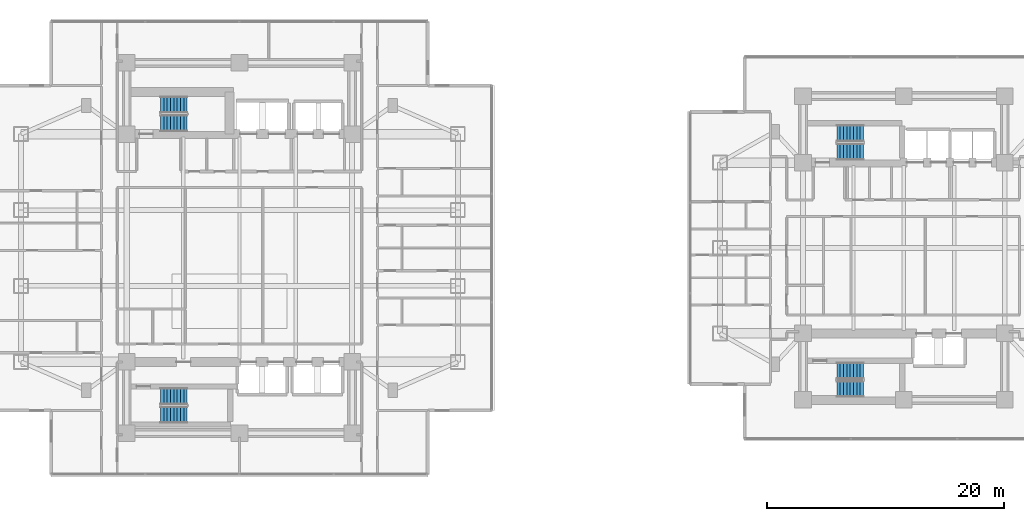
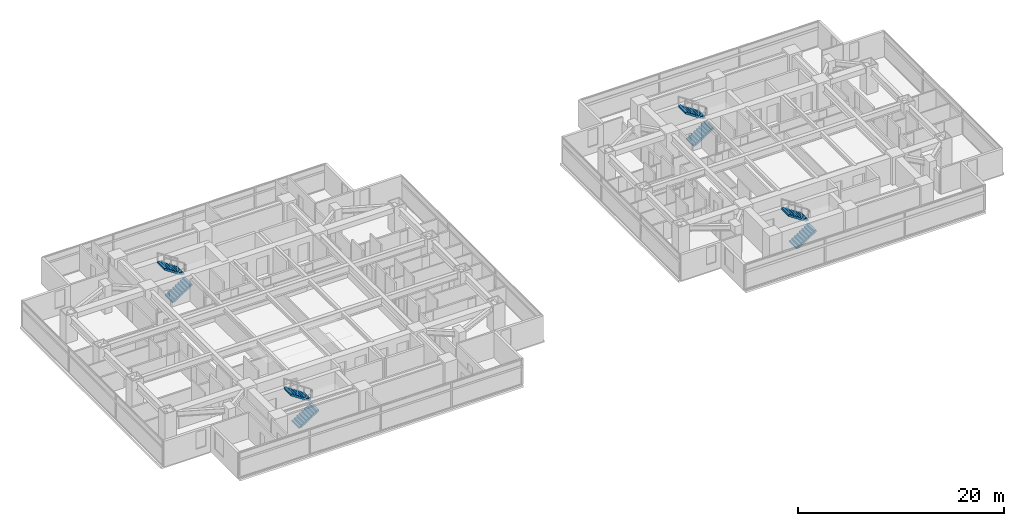
# One storey, part 19 of 26: 8 stair flights, 4 elements without a shape of their own.
"""IFC4 building model written with IfcOpenShell, lengths in metres."""

from ifc_helpers import new_model, si_unit, direction, frame, origin, place, context, subcontext, project, spatial, polyline, outline, extrude, material, type_object, element, aggregate, save


model = new_model("IFC4")

# Units and contexts
model_context = context("Model", 3, precision=1e-05, world=origin(), true_north=direction((0.0, 1.0)))
body_context = subcontext(model_context, "Body", "Model", "MODEL_VIEW")
ifc_project = project(units=[si_unit("LENGTHUNIT", "METRE"), si_unit("AREAUNIT", "SQUARE_METRE"), si_unit("VOLUMEUNIT", "CUBIC_METRE"), si_unit("PLANEANGLEUNIT", "RADIAN"), si_unit("MASSUNIT", "GRAM", prefix="KILO")], contexts=[model_context])

# Site, building, storey
site_placement = place(None, origin())
site = spatial("IfcSite", under=ifc_project, at=site_placement, CompositionType="ELEMENT")
building_placement = place(site_placement, origin())
building = spatial("IfcBuilding", under=site, at=building_placement, Name="Mirazonda Arch Towers", CompositionType="ELEMENT")
storey_placement = place(building_placement, frame((0.0, 0.0, 25.699951171875)))
storey = spatial("IfcBuildingStorey", under=building, at=storey_placement, Name="L06", CompositionType="ELEMENT", Elevation=25.699951171875)

# Stair, stair flights
ifc_material = material(Name="Concrete C40/50", Category="concrete")
stair_type = type_object("IfcStairType", Name="STAIR-CORE-1400", PredefinedType="HALF_TURN_STAIR", material=ifc_material)
stair_1_placement = place(storey_placement, origin())
stair_1 = element("IfcStair", 1, at=stair_1_placement, inside=storey, type_object=stair_type, Name="L06 Protected Exit Stair ST-T1N", PredefinedType="HALF_TURN_STAIR")
stair_flight_type = type_object("IfcStairFlightType", Name="FLIGHT-1400", PredefinedType="STRAIGHT", material=ifc_material)
stair_flight_1_placement = place(storey_placement, frame((13.85009765625, 38.52001953125, 0.0), z_axis=(0.0, 0.0, 1.0), x_axis=(1.0, 0.0, 0.0)))
stair_flight_1 = element("IfcStairFlight", 2, at=stair_flight_1_placement, type_object=stair_flight_type, Name="ST-T1N flight 1", NumberOfRisers=9, NumberOfTreads=8, PredefinedType="STRAIGHT", RiserHeight=0.183333333, TreadLength=0.28, context=body_context, shape_type="SweptSolid", body=[
    extrude(outline(polyline([(0.0, 0.0), (0.0, 0.183349609375), (0.280029296875, 0.183349609375), (0.280029296875, 0.36669921875), (0.56005859375, 0.36669921875), (0.56005859375, 0.550048828125), (0.840087890625, 0.550048828125), (0.840087890625, 0.7333984375), (1.1201171875, 0.7333984375), (1.1201171875, 0.916748046875), (1.39990234375, 0.916748046875), (1.39990234375, 1.10009765625), (1.679931640625, 1.10009765625), (1.679931640625, 1.283447265625), (1.9599609375, 1.283447265625), (1.9599609375, 1.466552734375), (2.239990234375, 1.466552734375), (2.239990234375, 1.64990234375), (2.239990234375, 1.275634765625), (0.2919921875, 0.0), (0.0, 0.0)])), frame((0.0, 0.699951171875, 0.0), z_axis=(0.0, -1.0, 0.0), x_axis=(1.0, 0.0, 0.0)), (0.0, 0.0, 1.0), 1.39990234375),
])
stair_flight_2_placement = place(storey_placement, frame((16.090087890625, 40.06005859375, 1.650146484375), z_axis=(0.0, 0.0, 1.0), x_axis=(-1.0, 0.0, 0.0)))
stair_flight_2 = element("IfcStairFlight", 3, at=stair_flight_2_placement, type_object=stair_flight_type, Name="ST-T1N flight 2", NumberOfRisers=9, NumberOfTreads=8, PredefinedType="STRAIGHT", RiserHeight=0.183333333, TreadLength=0.28, context=body_context, shape_type="SweptSolid", body=[
    extrude(outline(polyline([(0.0, 0.0), (0.0, 0.183349609375), (0.280029296875, 0.183349609375), (0.280029296875, 0.36669921875), (0.56005859375, 0.36669921875), (0.56005859375, 0.550048828125), (0.840087890625, 0.550048828125), (0.840087890625, 0.7333984375), (1.1201171875, 0.7333984375), (1.1201171875, 0.916748046875), (1.39990234375, 0.916748046875), (1.39990234375, 1.10009765625), (1.679931640625, 1.10009765625), (1.679931640625, 1.283447265625), (1.9599609375, 1.283447265625), (1.9599609375, 1.466552734375), (2.239990234375, 1.466552734375), (2.239990234375, 1.64990234375), (2.239990234375, 1.275634765625), (0.2919921875, 0.0), (0.0, 0.0)])), frame((0.0, 0.699951171875, 0.0), z_axis=(0.0, -1.0, 0.0), x_axis=(1.0, 0.0, 0.0)), (0.0, 0.0, 1.0), 1.39990234375),
])
aggregate(stair_1, [stair_flight_1, stair_flight_2])

stair_2_placement = place(storey_placement, origin())
stair_2 = element("IfcStair", 4, at=stair_2_placement, inside=storey, type_object=stair_type, Name="L06 Protected Exit Stair ST-T1S", PredefinedType="HALF_TURN_STAIR")
stair_flight_3_placement = place(storey_placement, frame((13.85009765625, 13.949951171875, 0.0), z_axis=(0.0, 0.0, 1.0), x_axis=(1.0, 0.0, 0.0)))
stair_flight_3 = element("IfcStairFlight", 5, at=stair_flight_3_placement, type_object=stair_flight_type, Name="ST-T1S flight 1", NumberOfRisers=9, NumberOfTreads=8, PredefinedType="STRAIGHT", RiserHeight=0.183333333, TreadLength=0.28, context=body_context, shape_type="SweptSolid", body=[
    extrude(outline(polyline([(0.0, 0.0), (0.0, 0.183349609375), (0.280029296875, 0.183349609375), (0.280029296875, 0.36669921875), (0.56005859375, 0.36669921875), (0.56005859375, 0.550048828125), (0.840087890625, 0.550048828125), (0.840087890625, 0.7333984375), (1.1201171875, 0.7333984375), (1.1201171875, 0.916748046875), (1.39990234375, 0.916748046875), (1.39990234375, 1.10009765625), (1.679931640625, 1.10009765625), (1.679931640625, 1.283447265625), (1.9599609375, 1.283447265625), (1.9599609375, 1.466552734375), (2.239990234375, 1.466552734375), (2.239990234375, 1.64990234375), (2.239990234375, 1.275634765625), (0.2919921875, 0.0), (0.0, 0.0)])), frame((0.0, 0.699951171875, 0.0), z_axis=(0.0, -1.0, 0.0), x_axis=(1.0, 0.0, 0.0)), (0.0, 0.0, 1.0), 1.39990234375),
])
stair_flight_4_placement = place(storey_placement, frame((16.090087890625, 15.489990234375, 1.650146484375), z_axis=(0.0, 0.0, 1.0), x_axis=(-1.0, 0.0, 0.0)))
stair_flight_4 = element("IfcStairFlight", 6, at=stair_flight_4_placement, type_object=stair_flight_type, Name="ST-T1S flight 2", NumberOfRisers=9, NumberOfTreads=8, PredefinedType="STRAIGHT", RiserHeight=0.183333333, TreadLength=0.28, context=body_context, shape_type="SweptSolid", body=[
    extrude(outline(polyline([(0.0, 0.0), (0.0, 0.183349609375), (0.280029296875, 0.183349609375), (0.280029296875, 0.36669921875), (0.56005859375, 0.36669921875), (0.56005859375, 0.550048828125), (0.840087890625, 0.550048828125), (0.840087890625, 0.7333984375), (1.1201171875, 0.7333984375), (1.1201171875, 0.916748046875), (1.39990234375, 0.916748046875), (1.39990234375, 1.10009765625), (1.679931640625, 1.10009765625), (1.679931640625, 1.283447265625), (1.9599609375, 1.283447265625), (1.9599609375, 1.466552734375), (2.239990234375, 1.466552734375), (2.239990234375, 1.64990234375), (2.239990234375, 1.275634765625), (0.2919921875, 0.0), (0.0, 0.0)])), frame((0.0, 0.699951171875, 0.0), z_axis=(0.0, -1.0, 0.0), x_axis=(1.0, 0.0, 0.0)), (0.0, 0.0, 1.0), 1.39990234375),
])
aggregate(stair_2, [stair_flight_3, stair_flight_4])

stair_3_placement = place(storey_placement, origin())
stair_3 = element("IfcStair", 7, at=stair_3_placement, inside=storey, type_object=stair_type, Name="L06 Protected Exit Stair ST-T2N", PredefinedType="HALF_TURN_STAIR")
stair_flight_5_placement = place(storey_placement, frame((70.85009765625, 36.1201171875, 0.0), z_axis=(0.0, 0.0, 1.0), x_axis=(1.0, 0.0, 0.0)))
stair_flight_5 = element("IfcStairFlight", 8, at=stair_flight_5_placement, type_object=stair_flight_type, Name="ST-T2N flight 1", NumberOfRisers=9, NumberOfTreads=8, PredefinedType="STRAIGHT", RiserHeight=0.183333333, TreadLength=0.28, context=body_context, shape_type="SweptSolid", body=[
    extrude(outline(polyline([(0.0, 0.0), (0.0, 0.183349609375), (0.280029296875, 0.183349609375), (0.280029296875, 0.36669921875), (0.56005859375, 0.36669921875), (0.56005859375, 0.550048828125), (0.840087890625, 0.550048828125), (0.840087890625, 0.7333984375), (1.1201171875, 0.7333984375), (1.1201171875, 0.916748046875), (1.39990234375, 0.916748046875), (1.39990234375, 1.10009765625), (1.679931640625, 1.10009765625), (1.679931640625, 1.283447265625), (1.9599609375, 1.283447265625), (1.9599609375, 1.466552734375), (2.239990234375, 1.466552734375), (2.239990234375, 1.64990234375), (2.239990234375, 1.275634765625), (0.2919921875, 0.0), (0.0, 0.0)])), frame((0.0, 0.699951171875, 0.0), z_axis=(0.0, -1.0, 0.0), x_axis=(1.0, 0.0, 0.0)), (0.0, 0.0, 1.0), 1.39990234375),
])
stair_flight_6_placement = place(storey_placement, frame((73.090087890625, 37.659912109375, 1.650146484375), z_axis=(0.0, 0.0, 1.0), x_axis=(-1.0, 0.0, 0.0)))
stair_flight_6 = element("IfcStairFlight", 9, at=stair_flight_6_placement, type_object=stair_flight_type, Name="ST-T2N flight 2", NumberOfRisers=9, NumberOfTreads=8, PredefinedType="STRAIGHT", RiserHeight=0.183333333, TreadLength=0.28, context=body_context, shape_type="SweptSolid", body=[
    extrude(outline(polyline([(0.0, 0.0), (0.0, 0.183349609375), (0.280029296875, 0.183349609375), (0.280029296875, 0.36669921875), (0.56005859375, 0.36669921875), (0.56005859375, 0.550048828125), (0.840087890625, 0.550048828125), (0.840087890625, 0.7333984375), (1.1201171875, 0.7333984375), (1.1201171875, 0.916748046875), (1.39990234375, 0.916748046875), (1.39990234375, 1.10009765625), (1.679931640625, 1.10009765625), (1.679931640625, 1.283447265625), (1.9599609375, 1.283447265625), (1.9599609375, 1.466552734375), (2.239990234375, 1.466552734375), (2.239990234375, 1.64990234375), (2.239990234375, 1.275634765625), (0.2919921875, 0.0), (0.0, 0.0)])), frame((0.0, 0.699951171875, 0.0), z_axis=(0.0, -1.0, 0.0), x_axis=(1.0, 0.0, 0.0)), (0.0, 0.0, 1.0), 1.39990234375),
])
aggregate(stair_3, [stair_flight_5, stair_flight_6])

stair_4_placement = place(storey_placement, origin())
stair_4 = element("IfcStair", 10, at=stair_4_placement, inside=storey, type_object=stair_type, Name="L06 Protected Exit Stair ST-T2S", PredefinedType="HALF_TURN_STAIR")
stair_flight_7_placement = place(storey_placement, frame((70.85009765625, 16.1201171875, 0.0), z_axis=(0.0, 0.0, 1.0), x_axis=(1.0, 0.0, 0.0)))
stair_flight_7 = element("IfcStairFlight", 11, at=stair_flight_7_placement, type_object=stair_flight_type, Name="ST-T2S flight 1", NumberOfRisers=9, NumberOfTreads=8, PredefinedType="STRAIGHT", RiserHeight=0.183333333, TreadLength=0.28, context=body_context, shape_type="SweptSolid", body=[
    extrude(outline(polyline([(0.0, 0.0), (0.0, 0.183349609375), (0.280029296875, 0.183349609375), (0.280029296875, 0.36669921875), (0.56005859375, 0.36669921875), (0.56005859375, 0.550048828125), (0.840087890625, 0.550048828125), (0.840087890625, 0.7333984375), (1.1201171875, 0.7333984375), (1.1201171875, 0.916748046875), (1.39990234375, 0.916748046875), (1.39990234375, 1.10009765625), (1.679931640625, 1.10009765625), (1.679931640625, 1.283447265625), (1.9599609375, 1.283447265625), (1.9599609375, 1.466552734375), (2.239990234375, 1.466552734375), (2.239990234375, 1.64990234375), (2.239990234375, 1.275634765625), (0.2919921875, 0.0), (0.0, 0.0)])), frame((0.0, 0.699951171875, 0.0), z_axis=(0.0, -1.0, 0.0), x_axis=(1.0, 0.0, 0.0)), (0.0, 0.0, 1.0), 1.39990234375),
])
stair_flight_8_placement = place(storey_placement, frame((73.090087890625, 17.659912109375, 1.650146484375), z_axis=(0.0, 0.0, 1.0), x_axis=(-1.0, 0.0, 0.0)))
stair_flight_8 = element("IfcStairFlight", 12, at=stair_flight_8_placement, type_object=stair_flight_type, Name="ST-T2S flight 2", NumberOfRisers=9, NumberOfTreads=8, PredefinedType="STRAIGHT", RiserHeight=0.183333333, TreadLength=0.28, context=body_context, shape_type="SweptSolid", body=[
    extrude(outline(polyline([(0.0, 0.0), (0.0, 0.183349609375), (0.280029296875, 0.183349609375), (0.280029296875, 0.36669921875), (0.56005859375, 0.36669921875), (0.56005859375, 0.550048828125), (0.840087890625, 0.550048828125), (0.840087890625, 0.7333984375), (1.1201171875, 0.7333984375), (1.1201171875, 0.916748046875), (1.39990234375, 0.916748046875), (1.39990234375, 1.10009765625), (1.679931640625, 1.10009765625), (1.679931640625, 1.283447265625), (1.9599609375, 1.283447265625), (1.9599609375, 1.466552734375), (2.239990234375, 1.466552734375), (2.239990234375, 1.64990234375), (2.239990234375, 1.275634765625), (0.2919921875, 0.0), (0.0, 0.0)])), frame((0.0, 0.699951171875, 0.0), z_axis=(0.0, -1.0, 0.0), x_axis=(1.0, 0.0, 0.0)), (0.0, 0.0, 1.0), 1.39990234375),
])
aggregate(stair_4, [stair_flight_7, stair_flight_8])

save(model, "model.ifc")
